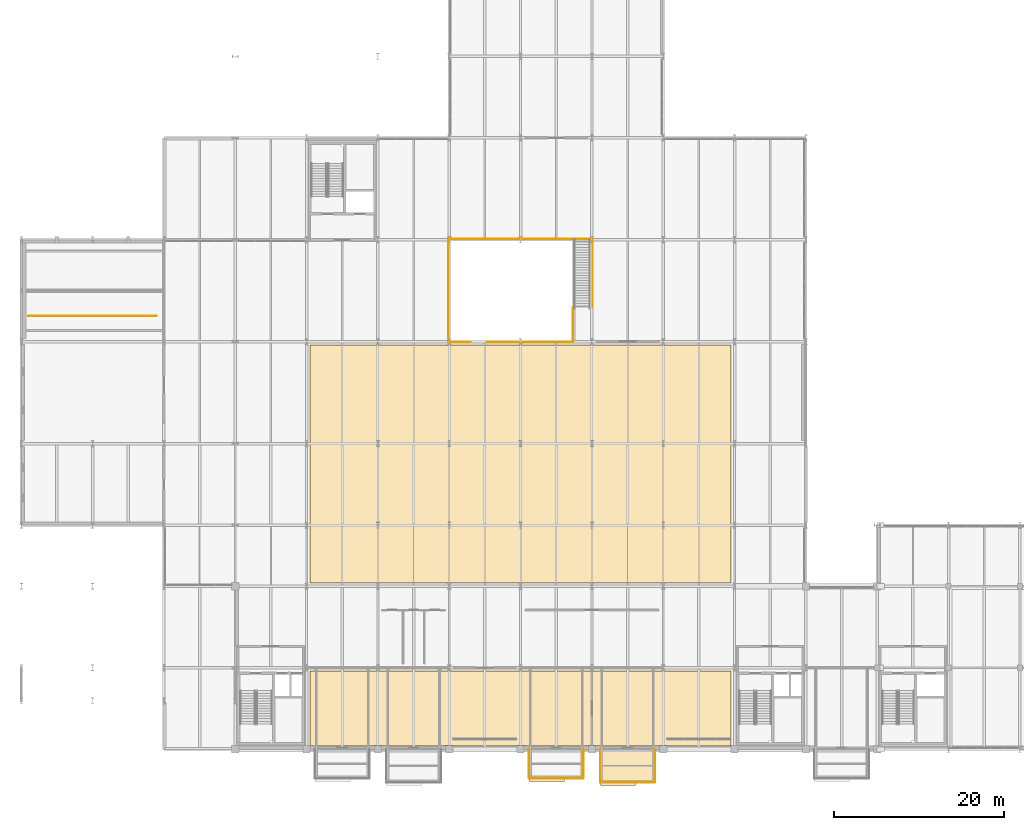
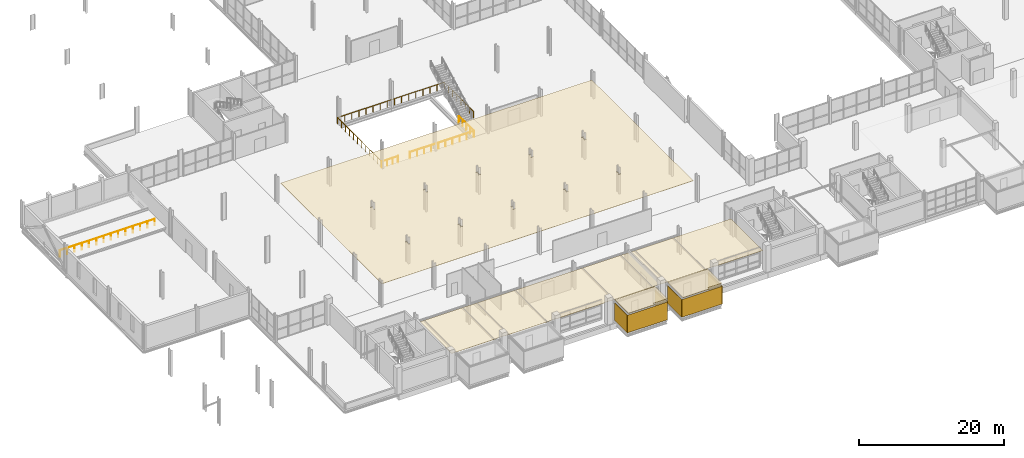
# One storey, part 106 of 113: 10 coverings, 4 railings.
"""IFC4 building model written with IfcOpenShell, lengths in metres."""

from ifc_helpers import new_model, si_unit, direction, frame, frame_2d, origin, origin_2d, place, context, subcontext, project, spatial, polyline, rectangle, circle, outline, extrude, material, layer, layer_set, type_object, element, save


model = new_model("IFC4")

# Units and contexts
model_context = context("Model", 3, precision=1e-05, world=origin(), true_north=direction((0.0, 1.0)))
body_context = subcontext(model_context, "Body", "Model", "MODEL_VIEW")
ifc_project = project(units=[si_unit("LENGTHUNIT", "METRE"), si_unit("AREAUNIT", "SQUARE_METRE"), si_unit("VOLUMEUNIT", "CUBIC_METRE"), si_unit("PLANEANGLEUNIT", "RADIAN"), si_unit("MASSUNIT", "GRAM", prefix="KILO")], contexts=[model_context])

# Site, building, storey
site_placement = place(None, origin())
site = spatial("IfcSite", under=ifc_project, at=site_placement, CompositionType="ELEMENT")
building_placement = place(site_placement, origin())
building = spatial("IfcBuilding", under=site, at=building_placement, Name="Veltarok Museum of Natural Sciences", CompositionType="ELEMENT")
storey_placement = place(building_placement, frame((0.0, 0.0, 8.39990234375)))
storey = spatial("IfcBuildingStorey", under=building, at=storey_placement, Name="L01", CompositionType="ELEMENT", Elevation=8.39990234375)

# Coverings
ifc_material_1 = material(Name="Corrugated zinc cladding")
ifc_layer_1 = layer(ifc_material_1, 0.044921875)
ifc_layer_set_1 = layer_set([ifc_layer_1], Name="Corrugated zinc cladding")
covering_type_1 = type_object("IfcCoveringType", Name="Corrugated Titanium-Zinc Rainscreen Cladding 45", PredefinedType="CLADDING", material=ifc_layer_set_1)
covering_1_placement = place(storey_placement, frame((66.199951171875, -3.422119140625, 0.0), z_axis=(0.0, 0.0, 1.0), x_axis=(1.0, 0.0, 0.0)))
element("IfcCovering", 1, at=covering_1_placement, inside=storey, type_object=covering_type_1, Name="Corrugated Zinc Cladding DB-03-S", PredefinedType="CLADDING", context=body_context, shape_type="SweptSolid", body=[
    extrude(rectangle(XDim=6.400146484375, YDim=0.044921875, at=frame_2d((3.2001953125, 0.0))), origin(), (0.0, 0.0, 1.0), 2.989990234375),
])
for number, where, z_axis, x_axis, name in (
    (2, (66.177978515625, 0.0, 0.0), (0.0, 0.0, 1.0), (0.0, -1.0, 0.0), "Corrugated Zinc Cladding DB-03-W"),
    (3, (72.6220703125, -3.39990234375, 0.0), (0.0, 0.0, 1.0), (0.0, 1.0, 0.0), "Corrugated Zinc Cladding DB-03-E"),
):
    element("IfcCovering", number, at=place(storey_placement, frame(where, z_axis=z_axis, x_axis=x_axis)), inside=storey, type_object=covering_type_1, Name=name, PredefinedType="CLADDING", context=body_context, shape_type="SweptSolid", body=[
        extrude(rectangle(XDim=3.39990234375, YDim=0.044921875, at=frame_2d((1.699951171875, 0.0))), origin(), (0.0, 0.0, 1.0), 2.989990234375),
    ])
covering_2_placement = place(storey_placement, frame((74.60009765625, -3.922119140625, 0.0), z_axis=(0.0, 0.0, 1.0), x_axis=(1.0, 0.0, 0.0)))
element("IfcCovering", 4, at=covering_2_placement, inside=storey, type_object=covering_type_1, Name="Corrugated Zinc Cladding DB-04-S", PredefinedType="CLADDING", context=body_context, shape_type="SweptSolid", body=[
    extrude(rectangle(XDim=6.39990234375, YDim=0.044921875, at=frame_2d((3.199951171875, 0.0))), origin(), (0.0, 0.0, 1.0), 2.989990234375),
])
for number, where, z_axis, x_axis, name in (
    (5, (74.577880859375, 0.0, 0.0), (0.0, 0.0, 1.0), (0.0, -1.0, 0.0), "Corrugated Zinc Cladding DB-04-W"),
    (6, (81.02197265625, -3.89990234375, 0.0), (0.0, 0.0, 1.0), (0.0, 1.0, 0.0), "Corrugated Zinc Cladding DB-04-E"),
):
    element("IfcCovering", number, at=place(storey_placement, frame(where, z_axis=z_axis, x_axis=x_axis)), inside=storey, type_object=covering_type_1, Name=name, PredefinedType="CLADDING", context=body_context, shape_type="SweptSolid", body=[
        extrude(rectangle(XDim=3.89990234375, YDim=0.044921875, at=frame_2d((1.949951171875, 0.0))), origin(), (0.0, 0.0, 1.0), 2.989990234375),
    ])
ifc_material_2 = material(Name="EPDM waterproofing membrane")
ifc_layer_2 = layer(ifc_material_2, 0.06005859375)
ifc_layer_set_2 = layer_set([ifc_layer_2], Name="EPDM waterproofing membrane")
covering_type_2 = type_object("IfcCoveringType", Name="EPDM Waterproofing and Acoustic Roof Membrane 60", PredefinedType="ROOFING", material=ifc_layer_set_2)
covering_3_placement = place(storey_placement, frame((0.0, 0.0, 3.4501953125)))
element("IfcCovering", 7, at=covering_3_placement, inside=storey, type_object=covering_type_2, Name="Cabinet Box Roof Membrane DB-03", PredefinedType="ROOFING", context=body_context, shape_type="SweptSolid", body=[
    extrude(outline(polyline([(66.199951171875, -3.780029296875), (70.360107421875, -3.780029296875), (70.360107421875, -3.39990234375), (72.60009765625, -3.39990234375), (72.60009765625, 0.0), (66.199951171875, 0.0), (66.199951171875, -3.780029296875)])), origin(), (0.0, 0.0, 1.0), 0.059814453125),
])
covering_4_placement = place(storey_placement, frame((0.0, 0.0, 3.4501953125)))
element("IfcCovering", 8, at=covering_4_placement, inside=storey, type_object=covering_type_2, Name="Cabinet Box Roof Membrane DB-04", PredefinedType="ROOFING", context=body_context, shape_type="SweptSolid", body=[
    extrude(outline(polyline([(74.60009765625, -4.280029296875), (78.760009765625, -4.280029296875), (78.760009765625, -3.89990234375), (81.0, -3.89990234375), (81.0, 0.0), (74.60009765625, 0.0), (74.60009765625, -4.280029296875)])), origin(), (0.0, 0.0, 1.0), 0.059814453125),
])

# Railings
ifc_material_3 = material(Name="Steel S355J2", Category="steel")
railing_type = type_object("IfcRailingType", Name="Interior Atrium and Stairwell Guardrail 1100", PredefinedType="GUARDRAIL", material=ifc_material_3)
railing_1_placement = place(storey_placement, frame((56.699951171875, 47.89990234375, 0.0)))
element("IfcRailing", 9, at=railing_1_placement, inside=storey, type_object=railing_type, Name="Central Atrium Guardrail L01-1", PredefinedType="GUARDRAIL", context=body_context, shape_type="SweptSolid", body=[
    extrude(circle(Radius=0.02392578125, at=origin_2d()), frame((0.0, 0.0, 1.076171875), z_axis=(1.0, 0.0, 0.0), x_axis=(0.0, 1.0, 0.0)), (0.0, 0.0, 1.0), 2.610107421875),
    extrude(circle(Radius=0.02099609375, at=origin_2d()), origin(), (0.0, 0.0, 1.0), 1.052001953125),
    extrude(circle(Radius=0.02099609375, at=origin_2d()), frame((0.8701171875, 0.0, 0.0)), (0.0, 0.0, 1.0), 1.052001953125),
    extrude(circle(Radius=0.02099609375, at=origin_2d()), frame((1.739990234375, 0.0, 0.0)), (0.0, 0.0, 1.0), 1.052001953125),
    extrude(circle(Radius=0.02099609375, at=origin_2d()), frame((2.610107421875, 0.0, 0.0)), (0.0, 0.0, 1.0), 1.052001953125),
])
railing_2_placement = place(storey_placement, frame((61.2099609375, 47.89990234375, 0.0)))
element("IfcRailing", 10, at=railing_2_placement, inside=storey, type_object=railing_type, Name="Central Atrium Guardrail L01-2", PredefinedType="GUARDRAIL", context=body_context, shape_type="SweptSolid", body=[
    extrude(circle(Radius=0.02392578125, at=origin_2d()), frame((0.0, 0.0, 1.076171875), z_axis=(1.0, 0.0, 0.0), x_axis=(0.0, 1.0, 0.0)), (0.0, 0.0, 1.0), 10.169921875),
    extrude(circle(Radius=0.02392578125, at=origin_2d()), frame((10.169921875, 0.0, 1.076171875), z_axis=(0.0, 1.0, 0.0), x_axis=(-1.0, 0.0, 0.0)), (0.0, 0.0, 1.0), 4.10009765625),
    extrude(circle(Radius=0.02099609375, at=origin_2d()), origin(), (0.0, 0.0, 1.0), 1.052001953125),
    extrude(circle(Radius=0.02099609375, at=origin_2d()), frame((1.1298828125, 0.0, 0.0)), (0.0, 0.0, 1.0), 1.052001953125),
    extrude(circle(Radius=0.02099609375, at=origin_2d()), frame((2.260009765625, 0.0, 0.0)), (0.0, 0.0, 1.0), 1.052001953125),
    extrude(circle(Radius=0.02099609375, at=origin_2d()), frame((3.389892578125, 0.0, 0.0)), (0.0, 0.0, 1.0), 1.052001953125),
    extrude(circle(Radius=0.02099609375, at=origin_2d()), frame((4.52001953125, 0.0, 0.0)), (0.0, 0.0, 1.0), 1.052001953125),
    extrude(circle(Radius=0.02099609375, at=origin_2d()), frame((5.64990234375, 0.0, 0.0)), (0.0, 0.0, 1.0), 1.052001953125),
    extrude(circle(Radius=0.02099609375, at=origin_2d()), frame((6.780029296875, 0.0, 0.0)), (0.0, 0.0, 1.0), 1.052001953125),
    extrude(circle(Radius=0.02099609375, at=origin_2d()), frame((7.909912109375, 0.0, 0.0)), (0.0, 0.0, 1.0), 1.052001953125),
    extrude(circle(Radius=0.02099609375, at=origin_2d()), frame((9.0400390625, 0.0, 0.0)), (0.0, 0.0, 1.0), 1.052001953125),
    extrude(circle(Radius=0.02099609375, at=origin_2d()), frame((10.169921875, 0.0, 0.0)), (0.0, 0.0, 1.0), 1.052001953125),
    extrude(circle(Radius=0.02099609375, at=origin_2d()), frame((10.169921875, 1.02490234375, 0.0)), (0.0, 0.0, 1.0), 1.052001953125),
    extrude(circle(Radius=0.02099609375, at=origin_2d()), frame((10.169921875, 2.050048828125, 0.0)), (0.0, 0.0, 1.0), 1.052001953125),
    extrude(circle(Radius=0.02099609375, at=origin_2d()), frame((10.169921875, 3.0751953125, 0.0)), (0.0, 0.0, 1.0), 1.052001953125),
    extrude(circle(Radius=0.02099609375, at=origin_2d()), frame((10.169921875, 4.10009765625, 0.0)), (0.0, 0.0, 1.0), 1.052001953125),
])
railing_3_placement = place(storey_placement, frame((73.699951171875, 52.0, 0.0)))
element("IfcRailing", 11, at=railing_3_placement, inside=storey, type_object=railing_type, Name="Central Atrium Guardrail L01-3", PredefinedType="GUARDRAIL", context=body_context, shape_type="SweptSolid", body=[
    extrude(circle(Radius=0.02392578125, at=origin_2d()), frame((0.0, 0.0, 1.076171875), z_axis=(0.0, 1.0, 0.0), x_axis=(-1.0, 0.0, 0.0)), (0.0, 0.0, 1.0), 8.10009765625),
    extrude(circle(Radius=0.02392578125, at=origin_2d()), frame((0.0, 8.10009765625, 1.076171875), z_axis=(-1.0, 0.0, 0.0), x_axis=(0.0, -1.0, 0.0)), (0.0, 0.0, 1.0), 17.0),
    extrude(circle(Radius=0.02392578125, at=origin_2d()), frame((-17.0, 8.10009765625, 1.076171875), z_axis=(0.0, -1.0, 0.0), x_axis=(1.0, 0.0, 0.0)), (0.0, 0.0, 1.0), 12.2001953125),
    extrude(circle(Radius=0.02099609375, at=origin_2d()), origin(), (0.0, 0.0, 1.0), 1.052001953125),
    extrude(circle(Radius=0.02099609375, at=origin_2d()), frame((0.0, 1.1572265625, 0.0)), (0.0, 0.0, 1.0), 1.052001953125),
    extrude(circle(Radius=0.02099609375, at=origin_2d()), frame((0.0, 2.314208984375, 0.0)), (0.0, 0.0, 1.0), 1.052001953125),
    extrude(circle(Radius=0.02099609375, at=origin_2d()), frame((0.0, 3.471435546875, 0.0)), (0.0, 0.0, 1.0), 1.052001953125),
    extrude(circle(Radius=0.02099609375, at=origin_2d()), frame((0.0, 4.628662109375, 0.0)), (0.0, 0.0, 1.0), 1.052001953125),
    extrude(circle(Radius=0.02099609375, at=origin_2d()), frame((0.0, 5.785888671875, 0.0)), (0.0, 0.0, 1.0), 1.052001953125),
    extrude(circle(Radius=0.02099609375, at=origin_2d()), frame((0.0, 6.94287109375, 0.0)), (0.0, 0.0, 1.0), 1.052001953125),
    extrude(circle(Radius=0.02099609375, at=origin_2d()), frame((0.0, 8.10009765625, 0.0)), (0.0, 0.0, 1.0), 1.052001953125),
    extrude(circle(Radius=0.02099609375, at=origin_2d()), frame((-1.13330078125, 8.10009765625, 0.0)), (0.0, 0.0, 1.0), 1.052001953125),
    extrude(circle(Radius=0.02099609375, at=origin_2d()), frame((-2.2666015625, 8.10009765625, 0.0)), (0.0, 0.0, 1.0), 1.052001953125),
    extrude(circle(Radius=0.02099609375, at=origin_2d()), frame((-3.39990234375, 8.10009765625, 0.0)), (0.0, 0.0, 1.0), 1.052001953125),
    extrude(circle(Radius=0.02099609375, at=origin_2d()), frame((-4.533447265625, 8.10009765625, 0.0)), (0.0, 0.0, 1.0), 1.052001953125),
    extrude(circle(Radius=0.02099609375, at=origin_2d()), frame((-5.666748046875, 8.10009765625, 0.0)), (0.0, 0.0, 1.0), 1.052001953125),
    extrude(circle(Radius=0.02099609375, at=origin_2d()), frame((-6.800048828125, 8.10009765625, 0.0)), (0.0, 0.0, 1.0), 1.052001953125),
    extrude(circle(Radius=0.02099609375, at=origin_2d()), frame((-7.933349609375, 8.10009765625, 0.0)), (0.0, 0.0, 1.0), 1.052001953125),
    extrude(circle(Radius=0.02099609375, at=origin_2d()), frame((-9.066650390625, 8.10009765625, 0.0)), (0.0, 0.0, 1.0), 1.052001953125),
    extrude(circle(Radius=0.02099609375, at=origin_2d()), frame((-10.199951171875, 8.10009765625, 0.0)), (0.0, 0.0, 1.0), 1.052001953125),
    extrude(circle(Radius=0.02099609375, at=origin_2d()), frame((-11.333251953125, 8.10009765625, 0.0)), (0.0, 0.0, 1.0), 1.052001953125),
    extrude(circle(Radius=0.02099609375, at=origin_2d()), frame((-12.466552734375, 8.10009765625, 0.0)), (0.0, 0.0, 1.0), 1.052001953125),
    extrude(circle(Radius=0.02099609375, at=origin_2d()), frame((-13.60009765625, 8.10009765625, 0.0)), (0.0, 0.0, 1.0), 1.052001953125),
    extrude(circle(Radius=0.02099609375, at=origin_2d()), frame((-14.7333984375, 8.10009765625, 0.0)), (0.0, 0.0, 1.0), 1.052001953125),
    extrude(circle(Radius=0.02099609375, at=origin_2d()), frame((-15.86669921875, 8.10009765625, 0.0)), (0.0, 0.0, 1.0), 1.052001953125),
    extrude(circle(Radius=0.02099609375, at=origin_2d()), frame((-17.0, 8.10009765625, 0.0)), (0.0, 0.0, 1.0), 1.052001953125),
    extrude(circle(Radius=0.02099609375, at=origin_2d()), frame((-17.0, 6.990966796875, 0.0)), (0.0, 0.0, 1.0), 1.052001953125),
    extrude(circle(Radius=0.02099609375, at=origin_2d()), frame((-17.0, 5.8818359375, 0.0)), (0.0, 0.0, 1.0), 1.052001953125),
    extrude(circle(Radius=0.02099609375, at=origin_2d()), frame((-17.0, 4.772705078125, 0.0)), (0.0, 0.0, 1.0), 1.052001953125),
    extrude(circle(Radius=0.02099609375, at=origin_2d()), frame((-17.0, 3.66357421875, 0.0)), (0.0, 0.0, 1.0), 1.052001953125),
    extrude(circle(Radius=0.02099609375, at=origin_2d()), frame((-17.0, 2.554443359375, 0.0)), (0.0, 0.0, 1.0), 1.052001953125),
    extrude(circle(Radius=0.02099609375, at=origin_2d()), frame((-17.0, 1.445556640625, 0.0)), (0.0, 0.0, 1.0), 1.052001953125),
    extrude(circle(Radius=0.02099609375, at=origin_2d()), frame((-17.0, 0.33642578125, 0.0)), (0.0, 0.0, 1.0), 1.052001953125),
    extrude(circle(Radius=0.02099609375, at=origin_2d()), frame((-17.0, -0.772705078125, 0.0)), (0.0, 0.0, 1.0), 1.052001953125),
    extrude(circle(Radius=0.02099609375, at=origin_2d()), frame((-17.0, -1.8818359375, 0.0)), (0.0, 0.0, 1.0), 1.052001953125),
    extrude(circle(Radius=0.02099609375, at=origin_2d()), frame((-17.0, -2.990966796875, 0.0)), (0.0, 0.0, 1.0), 1.052001953125),
    extrude(circle(Radius=0.02099609375, at=origin_2d()), frame((-17.0, -4.10009765625, 0.0)), (0.0, 0.0, 1.0), 1.052001953125),
])
railing_4_placement = place(storey_placement, frame((7.25, 51.050048828125, 0.4501953125)))
element("IfcRailing", 12, at=railing_4_placement, inside=storey, type_object=railing_type, Name="Auditorium Tier Front Guardrail L01", PredefinedType="GUARDRAIL", context=body_context, shape_type="SweptSolid", body=[
    extrude(circle(Radius=0.02392578125, at=origin_2d()), frame((0.0, 0.0, 1.076171875), z_axis=(1.0, 0.0, 0.0), x_axis=(0.0, 1.0, 0.0)), (0.0, 0.0, 1.0), 15.10009765625),
    extrude(circle(Radius=0.02099609375, at=origin_2d()), origin(), (0.0, 0.0, 1.0), 1.052001953125),
    extrude(circle(Radius=0.02099609375, at=origin_2d()), frame((1.16162109375, 0.0, 0.0)), (0.0, 0.0, 1.0), 1.052001953125),
    extrude(circle(Radius=0.02099609375, at=origin_2d()), frame((2.322998046875, 0.0, 0.0)), (0.0, 0.0, 1.0), 1.052001953125),
    extrude(circle(Radius=0.02099609375, at=origin_2d()), frame((3.484619140625, 0.0, 0.0)), (0.0, 0.0, 1.0), 1.052001953125),
    extrude(circle(Radius=0.02099609375, at=origin_2d()), frame((4.646240234375, 0.0, 0.0)), (0.0, 0.0, 1.0), 1.052001953125),
    extrude(circle(Radius=0.02099609375, at=origin_2d()), frame((5.8076171875, 0.0, 0.0)), (0.0, 0.0, 1.0), 1.052001953125),
    extrude(circle(Radius=0.02099609375, at=origin_2d()), frame((6.96923828125, 0.0, 0.0)), (0.0, 0.0, 1.0), 1.052001953125),
    extrude(circle(Radius=0.02099609375, at=origin_2d()), frame((8.130859375, 0.0, 0.0)), (0.0, 0.0, 1.0), 1.052001953125),
    extrude(circle(Radius=0.02099609375, at=origin_2d()), frame((9.29248046875, 0.0, 0.0)), (0.0, 0.0, 1.0), 1.052001953125),
    extrude(circle(Radius=0.02099609375, at=origin_2d()), frame((10.453857421875, 0.0, 0.0)), (0.0, 0.0, 1.0), 1.052001953125),
    extrude(circle(Radius=0.02099609375, at=origin_2d()), frame((11.615478515625, 0.0, 0.0)), (0.0, 0.0, 1.0), 1.052001953125),
    extrude(circle(Radius=0.02099609375, at=origin_2d()), frame((12.777099609375, 0.0, 0.0)), (0.0, 0.0, 1.0), 1.052001953125),
    extrude(circle(Radius=0.02099609375, at=origin_2d()), frame((13.9384765625, 0.0, 0.0)), (0.0, 0.0, 1.0), 1.052001953125),
    extrude(circle(Radius=0.02099609375, at=origin_2d()), frame((15.10009765625, 0.0, 0.0)), (0.0, 0.0, 1.0), 1.052001953125),
])

# Coverings
ifc_material_4 = material(Name="Acoustic gypsum and mineral wool")
ifc_layer_3 = layer(ifc_material_4, 0.044921875)
ifc_layer_set_3 = layer_set([ifc_layer_3], Name="Acoustic gypsum and mineral wool")
covering_type_3 = type_object("IfcCoveringType", Name="Perforated Acoustic Museum Ceiling Baffle System 45", PredefinedType="CEILING", material=ifc_layer_set_3)
covering_5_placement = place(storey_placement, frame((0.0, 0.0, 3.2001953125)))
element("IfcCovering", 13, at=covering_5_placement, inside=storey, type_object=covering_type_3, Name="Acoustic Gallery Ceiling L01-04", PredefinedType="CEILING", context=body_context, shape_type="SweptSolid", body=[
    extrude(outline(polyline([(40.39990234375, 9.199951171875), (90.0, 9.199951171875), (90.0, 0.4580078125), (89.967041015625, 0.4580078125), (89.967041015625, 0.39990234375), (82.43310546875, 0.39990234375), (82.43310546875, 0.4580078125), (81.56689453125, 0.4580078125), (81.56689453125, 0.39990234375), (74.032958984375, 0.39990234375), (74.032958984375, 0.4580078125), (73.1669921875, 0.4580078125), (73.1669921875, 0.39990234375), (65.633056640625, 0.39990234375), (65.633056640625, 0.4580078125), (64.76708984375, 0.4580078125), (64.76708984375, 0.39990234375), (57.23291015625, 0.39990234375), (57.23291015625, 0.4580078125), (56.366943359375, 0.4580078125), (56.366943359375, 0.39990234375), (48.8330078125, 0.39990234375), (48.8330078125, 0.4580078125), (47.967041015625, 0.4580078125), (47.967041015625, 0.39990234375), (40.43310546875, 0.39990234375), (40.43310546875, 0.4580078125), (40.39990234375, 0.4580078125), (40.39990234375, 9.199951171875)])), origin(), (0.0, 0.0, 1.0), 0.044921875),
])
covering_6_placement = place(storey_placement, frame((0.0, 0.0, 3.300048828125)))
element("IfcCovering", 14, at=covering_6_placement, inside=storey, type_object=covering_type_3, Name="Acoustic Gallery Ceiling L01-05", PredefinedType="CEILING", context=body_context, shape_type="SweptSolid", body=[
    extrude(outline(polyline([(40.39990234375, 19.60009765625), (40.39990234375, 47.60009765625), (90.0, 47.60009765625), (90.0, 19.60009765625), (40.39990234375, 19.60009765625)]), holes=[polyline([(56.9580078125, 26.7099609375), (56.9580078125, 26.758056640625), (56.64208984375, 26.758056640625), (56.64208984375, 26.7099609375), (56.783447265625, 26.7099609375), (56.783447265625, 26.090087890625), (56.64208984375, 26.090087890625), (56.64208984375, 26.0419921875), (56.9580078125, 26.0419921875), (56.9580078125, 26.090087890625), (56.81640625, 26.090087890625), (56.81640625, 26.7099609375), (56.9580078125, 26.7099609375)]), polyline([(48.55810546875, 26.758056640625), (48.241943359375, 26.758056640625), (48.241943359375, 26.7099609375), (48.383544921875, 26.7099609375), (48.383544921875, 26.090087890625), (48.241943359375, 26.090087890625), (48.241943359375, 26.0419921875), (48.55810546875, 26.0419921875), (48.55810546875, 26.090087890625), (48.41650390625, 26.090087890625), (48.41650390625, 26.7099609375), (48.55810546875, 26.7099609375), (48.55810546875, 26.758056640625)]), polyline([(48.55810546875, 36.35791015625), (48.241943359375, 36.35791015625), (48.241943359375, 36.31005859375), (48.383544921875, 36.31005859375), (48.383544921875, 35.68994140625), (48.241943359375, 35.68994140625), (48.241943359375, 35.64208984375), (48.55810546875, 35.64208984375), (48.55810546875, 35.68994140625), (48.41650390625, 35.68994140625), (48.41650390625, 36.31005859375), (48.55810546875, 36.31005859375), (48.55810546875, 36.35791015625)]), polyline([(56.9580078125, 36.35791015625), (56.64208984375, 36.35791015625), (56.64208984375, 36.31005859375), (56.783447265625, 36.31005859375), (56.783447265625, 35.68994140625), (56.64208984375, 35.68994140625), (56.64208984375, 35.64208984375), (56.9580078125, 35.64208984375), (56.9580078125, 35.68994140625), (56.81640625, 35.68994140625), (56.81640625, 36.31005859375), (56.9580078125, 36.31005859375), (56.9580078125, 36.35791015625)]), polyline([(82.157958984375, 26.758056640625), (81.842041015625, 26.758056640625), (81.842041015625, 26.7099609375), (81.9833984375, 26.7099609375), (81.9833984375, 26.090087890625), (81.842041015625, 26.090087890625), (81.842041015625, 26.0419921875), (82.157958984375, 26.0419921875), (82.157958984375, 26.090087890625), (82.0166015625, 26.090087890625), (82.0166015625, 26.7099609375), (82.157958984375, 26.7099609375), (82.157958984375, 26.758056640625)]), polyline([(65.35791015625, 26.7099609375), (65.35791015625, 26.758056640625), (65.0419921875, 26.758056640625), (65.0419921875, 26.7099609375), (65.18359375, 26.7099609375), (65.18359375, 26.090087890625), (65.0419921875, 26.090087890625), (65.0419921875, 26.0419921875), (65.35791015625, 26.0419921875), (65.35791015625, 26.090087890625), (65.216552734375, 26.090087890625), (65.216552734375, 26.7099609375), (65.35791015625, 26.7099609375)]), polyline([(73.758056640625, 26.7099609375), (73.758056640625, 26.758056640625), (73.44189453125, 26.758056640625), (73.44189453125, 26.7099609375), (73.58349609375, 26.7099609375), (73.58349609375, 26.090087890625), (73.44189453125, 26.090087890625), (73.44189453125, 26.0419921875), (73.758056640625, 26.0419921875), (73.758056640625, 26.090087890625), (73.616455078125, 26.090087890625), (73.616455078125, 26.7099609375), (73.758056640625, 26.7099609375)]), polyline([(73.758056640625, 36.35791015625), (73.44189453125, 36.35791015625), (73.44189453125, 36.31005859375), (73.58349609375, 36.31005859375), (73.58349609375, 35.68994140625), (73.44189453125, 35.68994140625), (73.44189453125, 35.64208984375), (73.758056640625, 35.64208984375), (73.758056640625, 35.68994140625), (73.616455078125, 35.68994140625), (73.616455078125, 36.31005859375), (73.758056640625, 36.31005859375), (73.758056640625, 36.35791015625)]), polyline([(65.35791015625, 36.35791015625), (65.0419921875, 36.35791015625), (65.0419921875, 36.31005859375), (65.18359375, 36.31005859375), (65.18359375, 35.68994140625), (65.0419921875, 35.68994140625), (65.0419921875, 35.64208984375), (65.35791015625, 35.64208984375), (65.35791015625, 35.68994140625), (65.216552734375, 35.68994140625), (65.216552734375, 36.31005859375), (65.35791015625, 36.31005859375), (65.35791015625, 36.35791015625)]), polyline([(82.157958984375, 36.35791015625), (81.842041015625, 36.35791015625), (81.842041015625, 36.31005859375), (81.9833984375, 36.31005859375), (81.9833984375, 35.68994140625), (81.842041015625, 35.68994140625), (81.842041015625, 35.64208984375), (82.157958984375, 35.64208984375), (82.157958984375, 35.68994140625), (82.0166015625, 35.68994140625), (82.0166015625, 36.31005859375), (82.157958984375, 36.31005859375), (82.157958984375, 36.35791015625)])]), origin(), (0.0, 0.0, 1.0), 0.045166015625),
])

save(model, "model.ifc")
